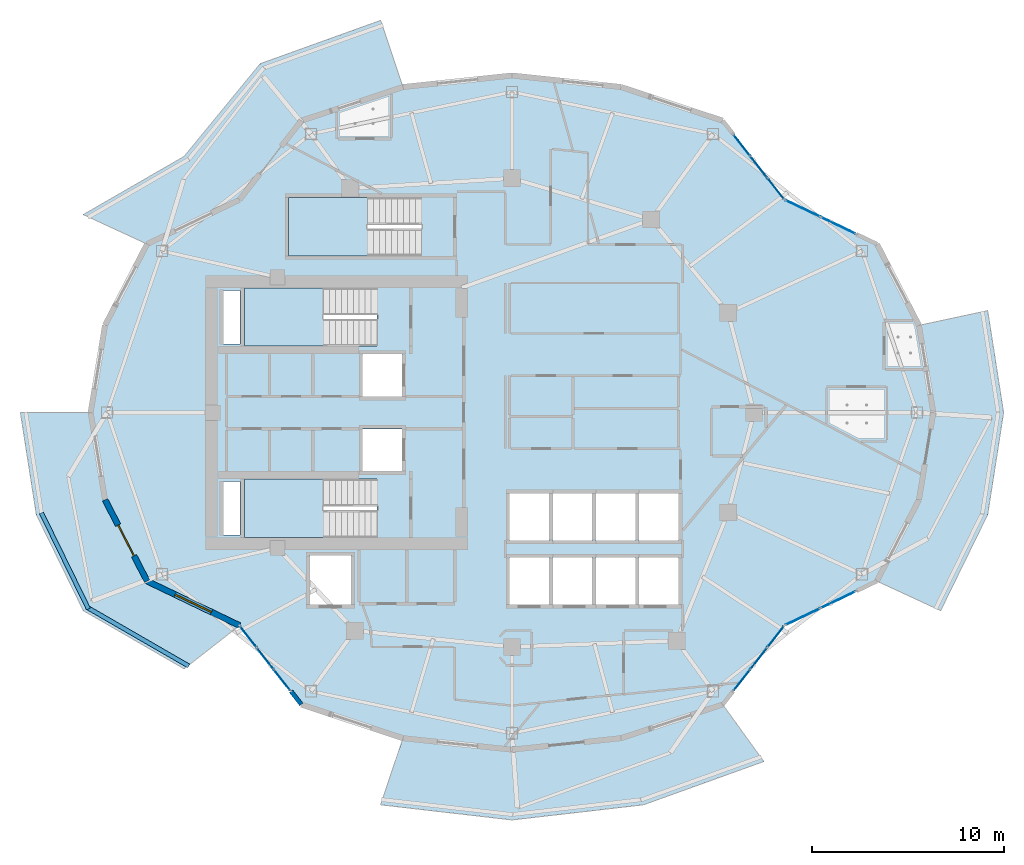
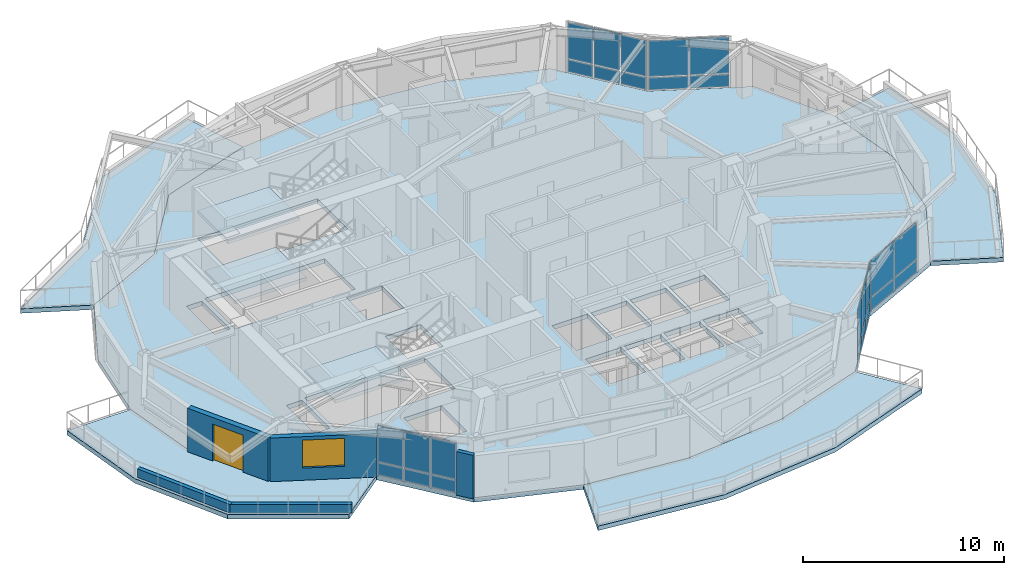
# One storey, part 7 of 19: 31 plates, 8 slabs, 5 walls, 1 door, 1 window, 2 openings, 8 elements without a shape of their own.
"""IFC4 building model written with IfcOpenShell, lengths in metres."""

from ifc_helpers import new_model, si_unit, direction, frame, frame_2d, origin, origin_2d, place, context, subcontext, project, spatial, polyline, rectangle, outline, extrude, material, layer, layer_set, type_object, element, fill, aggregate, save


model = new_model("IFC4")

# Units and contexts
model_context = context("Model", 3, precision=1e-05, world=origin(), true_north=direction((0.0, 1.0)))
body_context = subcontext(model_context, "Body", "Model", "MODEL_VIEW")
ifc_project = project(units=[si_unit("LENGTHUNIT", "METRE"), si_unit("AREAUNIT", "SQUARE_METRE"), si_unit("VOLUMEUNIT", "CUBIC_METRE"), si_unit("PLANEANGLEUNIT", "RADIAN"), si_unit("MASSUNIT", "GRAM", prefix="KILO")], contexts=[model_context])

# Site, building, storey
site_placement = place(None, origin())
site = spatial("IfcSite", under=ifc_project, at=site_placement, CompositionType="ELEMENT")
building_placement = place(site_placement, origin())
building = spatial("IfcBuilding", under=site, at=building_placement, Name="Kolvaren Gate Tower and Convention Centre", CompositionType="ELEMENT")
storey_placement = place(building_placement, frame((0.0, 0.0, 169.89990234375)))
storey = spatial("IfcBuildingStorey", under=building, at=storey_placement, Name="L44", CompositionType="ELEMENT", Elevation=169.89990234375)

# Plates
ifc_material_1 = material(Name="Perforated Anodized Bronze Aluminium Sheet 6 mm", Category="aluminium")
ifc_layer_1 = layer(ifc_material_1, 0.011962890625)
ifc_layer_set_1 = layer_set([ifc_layer_1], Name="Perforated Anodized Bronze Aluminium Sheet 6 mm")
plate_type_1 = type_object("IfcPlateType", Name="ARCH-PL-SCREEN-PERF", PredefinedType="SHEET", material=ifc_layer_set_1)
for number, where, z_axis, x_axis, name in (
    (1, (46.718505859375, 36.930419921875, 2.2900390625), (0.0, 0.0, 1.0), (0.901358389955, -0.433073957723, 0.0), "Tower L44 Perforated Bronze Solar Screen SS-02"),
    (2, (42.70361328125, 40.142333984375, 2.2900390625), (0.0, 0.0, 1.0), (0.616434119112, -0.787406487651, 0.0), "Tower L44 Perforated Bronze Solar Screen SS-03"),
    (3, (17.54638671875, 13.857666015625, 2.2900390625), (0.0, 0.0, 1.0), (0.616434119112, -0.787406487651, 0.0), "Tower L44 Perforated Bronze Solar Screen SS-15"),
    (4, (42.70361328125, 13.857666015625, 2.2900390625), (0.0, 0.0, 1.0), (0.616434119112, 0.787406487651, 0.0), "Tower L44 Perforated Bronze Solar Screen SS-20"),
    (5, (46.718505859375, 17.069580078125, 2.2900390625), (0.0, 0.0, 1.0), (0.901358389955, 0.433073957723, 0.0), "Tower L44 Perforated Bronze Solar Screen SS-21"),
):
    element("IfcPlate", number, at=place(storey_placement, frame(where, z_axis=z_axis, x_axis=x_axis)), inside=storey, type_object=plate_type_1, Name=name, PredefinedType="SHEET", context=body_context, shape_type="SweptSolid", body=[
        extrude(rectangle(XDim=2.60009765625, YDim=0.011962890625, at=origin_2d()), origin(), (0.0, 0.0, 1.0), 0.840087890625),
    ])

# Curtain wall, plates
ifc_material_2 = material(Name="Anodized Architectural Aluminium Alloy 6063-T6", Category="aluminium")
ifc_layer_2 = layer(ifc_material_2, 0.159912109375)
ifc_layer_set_2 = layer_set([ifc_layer_2], Name="Anodized Architectural Aluminium Alloy 6063-T6")
curtain_wall_type = type_object("IfcCurtainWallType", Name="CW-HTL-UNIT", PredefinedType="NOTDEFINED", material=ifc_layer_set_2)
curtain_wall_1_placement = place(storey_placement, origin())
curtain_wall_1 = element("IfcCurtainWall", 6, at=curtain_wall_1_placement, inside=storey, type_object=curtain_wall_type, Name="Tower L44 Unitised Curtain Wall CW-HTL-UNIT Bay 02", PredefinedType="NOTDEFINED")
ifc_material_3 = material(Name="Low-E Triple Insulated Glazing Unit 44 mm", Category="glass")
ifc_layer_3 = layer(ifc_material_3, 0.0439453125)
ifc_layer_set_3 = layer_set([ifc_layer_3], Name="Low-E Triple Insulated Glazing Unit 44 mm")
plate_type_2 = type_object("IfcPlateType", Name="CW-PL-IGU-44", PredefinedType="CURTAIN_PANEL", material=ifc_layer_set_3)
plate_1_placement = place(storey_placement, frame((45.264404296875, 37.629150390625, 0.882568359375), z_axis=(0.0, 0.0, 1.0), x_axis=(0.901358493371, -0.433073742482, 0.0)))
plate_1 = element("IfcPlate", 7, at=plate_1_placement, type_object=plate_type_2, Name="CW-03 panel 1.2", PredefinedType="CURTAIN_PANEL", context=body_context, shape_type="SweptSolid", body=[
    extrude(rectangle(XDim=1.97998046875, YDim=0.0439453125, at=origin_2d()), origin(), (0.0, 0.0, 1.0), 2.1826171875),
])
plate_2_placement = place(storey_placement, frame((47.107666015625, 36.743408203125, 0.882568359375), z_axis=(0.0, 0.0, 1.0), x_axis=(0.901358493371, -0.433073742482, 0.0)))
plate_2 = element("IfcPlate", 8, at=plate_2_placement, type_object=plate_type_2, Name="CW-03 panel 2.2", PredefinedType="CURTAIN_PANEL", context=body_context, shape_type="SweptSolid", body=[
    extrude(rectangle(XDim=1.97998046875, YDim=0.0439453125, at=origin_2d()), origin(), (0.0, 0.0, 1.0), 2.1826171875),
])

curtain_wall_2_placement = place(storey_placement, origin())
curtain_wall_2 = element("IfcCurtainWall", 9, at=curtain_wall_2_placement, inside=storey, type_object=curtain_wall_type, Name="Tower L44 Unitised Curtain Wall CW-HTL-UNIT Bay 03", PredefinedType="NOTDEFINED")
plate_3_placement = place(storey_placement, frame((42.09033203125, 40.925537109375, 0.882568359375), z_axis=(0.0, 0.0, 1.0), x_axis=(0.616437890084, -0.787403535469, 0.0)))
plate_3 = element("IfcPlate", 10, at=plate_3_placement, type_object=plate_type_2, Name="CW-03 panel 1.2", PredefinedType="CURTAIN_PANEL", context=body_context, shape_type="SweptSolid", body=[
    extrude(rectangle(XDim=1.3515625, YDim=0.0439453125, at=origin_2d()), origin(), (0.0, 0.0, 1.0), 2.1826171875),
])
plate_4_placement = place(storey_placement, frame((42.9736328125, 39.79736328125, 0.882568359375), z_axis=(0.0, 0.0, 1.0), x_axis=(0.616437890084, -0.787403535469, 0.0)))
plate_4 = element("IfcPlate", 11, at=plate_4_placement, type_object=plate_type_2, Name="CW-03 panel 2.2", PredefinedType="CURTAIN_PANEL", context=body_context, shape_type="SweptSolid", body=[
    extrude(rectangle(XDim=1.384033203125, YDim=0.0439453125, at=origin_2d()), origin(), (0.0, 0.0, 1.0), 2.1826171875),
])
plate_5_placement = place(storey_placement, frame((43.85693359375, 38.669189453125, 0.882568359375), z_axis=(0.0, 0.0, 1.0), x_axis=(0.616437890084, -0.787403535469, 0.0)))
plate_5 = element("IfcPlate", 12, at=plate_5_placement, type_object=plate_type_2, Name="CW-03 panel 3.2", PredefinedType="CURTAIN_PANEL", context=body_context, shape_type="SweptSolid", body=[
    extrude(rectangle(XDim=1.3515625, YDim=0.0439453125, at=origin_2d()), origin(), (0.0, 0.0, 1.0), 2.1826171875),
])

curtain_wall_3_placement = place(storey_placement, origin())
curtain_wall_3 = element("IfcCurtainWall", 13, at=curtain_wall_3_placement, inside=storey, type_object=curtain_wall_type, Name="Tower L44 Unitised Curtain Wall CW-HTL-UNIT Bay 15", PredefinedType="NOTDEFINED")
plate_6_placement = place(storey_placement, frame((16.39306640625, 15.330810546875, 0.882568359375), z_axis=(0.0, 0.0, 1.0), x_axis=(0.616423627213, -0.787414701294, 0.0)))
plate_6 = element("IfcPlate", 14, at=plate_6_placement, type_object=plate_type_2, Name="CW-03 panel 1.2", PredefinedType="CURTAIN_PANEL", context=body_context, shape_type="SweptSolid", body=[
    extrude(rectangle(XDim=1.3515625, YDim=0.0439453125, at=origin_2d()), origin(), (0.0, 0.0, 1.0), 2.1826171875),
])
plate_7_placement = place(storey_placement, frame((17.2763671875, 14.20263671875, 0.882568359375), z_axis=(0.0, 0.0, 1.0), x_axis=(0.616423627213, -0.787414701294, 0.0)))
plate_7 = element("IfcPlate", 15, at=plate_7_placement, type_object=plate_type_2, Name="CW-03 panel 2.2", PredefinedType="CURTAIN_PANEL", context=body_context, shape_type="SweptSolid", body=[
    extrude(rectangle(XDim=1.384033203125, YDim=0.0439453125, at=origin_2d()), origin(), (0.0, 0.0, 1.0), 2.1826171875),
])
plate_8_placement = place(storey_placement, frame((18.159423828125, 13.074462890625, 0.882568359375), z_axis=(0.0, 0.0, 1.0), x_axis=(0.616423627213, -0.787414701294, 0.0)))
plate_8 = element("IfcPlate", 16, at=plate_8_placement, type_object=plate_type_2, Name="CW-03 panel 3.2", PredefinedType="CURTAIN_PANEL", context=body_context, shape_type="SweptSolid", body=[
    extrude(rectangle(XDim=1.3515625, YDim=0.0439453125, at=origin_2d()), origin(), (0.0, 0.0, 1.0), 2.1826171875),
])

curtain_wall_4_placement = place(storey_placement, origin())
curtain_wall_4 = element("IfcCurtainWall", 17, at=curtain_wall_4_placement, inside=storey, type_object=curtain_wall_type, Name="Tower L44 Unitised Curtain Wall CW-HTL-UNIT Bay 20", PredefinedType="NOTDEFINED")
plate_9_placement = place(storey_placement, frame((42.09033203125, 13.074462890625, 0.882568359375), z_axis=(0.0, 0.0, 1.0), x_axis=(0.616437890084, 0.787403535469, 0.0)))
plate_9 = element("IfcPlate", 18, at=plate_9_placement, type_object=plate_type_2, Name="CW-03 panel 1.2", PredefinedType="CURTAIN_PANEL", context=body_context, shape_type="SweptSolid", body=[
    extrude(rectangle(XDim=1.3515625, YDim=0.0439453125, at=origin_2d()), origin(), (0.0, 0.0, 1.0), 2.1826171875),
])
plate_10_placement = place(storey_placement, frame((42.9736328125, 14.20263671875, 0.882568359375), z_axis=(0.0, 0.0, 1.0), x_axis=(0.616437890084, 0.787403535469, 0.0)))
plate_10 = element("IfcPlate", 19, at=plate_10_placement, type_object=plate_type_2, Name="CW-03 panel 2.2", PredefinedType="CURTAIN_PANEL", context=body_context, shape_type="SweptSolid", body=[
    extrude(rectangle(XDim=1.384033203125, YDim=0.0439453125, at=origin_2d()), origin(), (0.0, 0.0, 1.0), 2.1826171875),
])
plate_11_placement = place(storey_placement, frame((43.85693359375, 15.330810546875, 0.882568359375), z_axis=(0.0, 0.0, 1.0), x_axis=(0.616437890084, 0.787403535469, 0.0)))
plate_11 = element("IfcPlate", 20, at=plate_11_placement, type_object=plate_type_2, Name="CW-03 panel 3.2", PredefinedType="CURTAIN_PANEL", context=body_context, shape_type="SweptSolid", body=[
    extrude(rectangle(XDim=1.3515625, YDim=0.0439453125, at=origin_2d()), origin(), (0.0, 0.0, 1.0), 2.1826171875),
])

curtain_wall_5_placement = place(storey_placement, origin())
curtain_wall_5 = element("IfcCurtainWall", 21, at=curtain_wall_5_placement, inside=storey, type_object=curtain_wall_type, Name="Tower L44 Unitised Curtain Wall CW-HTL-UNIT Bay 21", PredefinedType="NOTDEFINED")
plate_12_placement = place(storey_placement, frame((45.264404296875, 16.370849609375, 0.882568359375), z_axis=(0.0, 0.0, 1.0), x_axis=(0.901358493371, 0.433073742482, 0.0)))
plate_12 = element("IfcPlate", 22, at=plate_12_placement, type_object=plate_type_2, Name="CW-03 panel 1.2", PredefinedType="CURTAIN_PANEL", context=body_context, shape_type="SweptSolid", body=[
    extrude(rectangle(XDim=1.97998046875, YDim=0.0439453125, at=origin_2d()), origin(), (0.0, 0.0, 1.0), 2.1826171875),
])
plate_13_placement = place(storey_placement, frame((47.107666015625, 17.256591796875, 0.882568359375), z_axis=(0.0, 0.0, 1.0), x_axis=(0.901358493371, 0.433073742482, 0.0)))
plate_13 = element("IfcPlate", 23, at=plate_13_placement, type_object=plate_type_2, Name="CW-03 panel 2.2", PredefinedType="CURTAIN_PANEL", context=body_context, shape_type="SweptSolid", body=[
    extrude(rectangle(XDim=1.97998046875, YDim=0.0439453125, at=origin_2d()), origin(), (0.0, 0.0, 1.0), 2.1826171875),
])

# Plate
ifc_material_4 = material(Name="Solar-Control Laminated Curtain Glazing 36 mm", Category="glass")
ifc_layer_4 = layer(ifc_material_4, 0.035888671875)
ifc_layer_set_4 = layer_set([ifc_layer_4], Name="Solar-Control Laminated Curtain Glazing 36 mm")
plate_type_3 = type_object("IfcPlateType", Name="CW-PL-SPAN-36", PredefinedType="CURTAIN_PANEL", material=ifc_layer_set_4)
plate_14_placement = place(storey_placement, frame((45.264404296875, 37.629150390625, 0.065185546875), z_axis=(0.0, 0.0, 1.0), x_axis=(0.901358493371, -0.433073742482, 0.0)))
plate_14 = element("IfcPlate", 24, at=plate_14_placement, type_object=plate_type_3, Name="CW-03 panel 1.1", PredefinedType="CURTAIN_PANEL", context=body_context, shape_type="SweptSolid", body=[
    extrude(rectangle(XDim=1.97998046875, YDim=0.035888671875, at=origin_2d()), origin(), (0.0, 0.0, 1.0), 0.75244140625),
])

plate_15_placement = place(storey_placement, frame((47.107666015625, 36.743408203125, 0.065185546875), z_axis=(0.0, 0.0, 1.0), x_axis=(0.901358493371, -0.433073742482, 0.0)))
plate_15 = element("IfcPlate", 25, at=plate_15_placement, type_object=plate_type_3, Name="CW-03 panel 2.1", PredefinedType="CURTAIN_PANEL", context=body_context, shape_type="SweptSolid", body=[
    extrude(rectangle(XDim=1.97998046875, YDim=0.035888671875, at=origin_2d()), origin(), (0.0, 0.0, 1.0), 0.75244140625),
])

aggregate(curtain_wall_1, [plate_14, plate_1, plate_15, plate_2])

plate_16_placement = place(storey_placement, frame((42.09033203125, 40.925537109375, 0.065185546875), z_axis=(0.0, 0.0, 1.0), x_axis=(0.616437890084, -0.787403535469, 0.0)))
plate_16 = element("IfcPlate", 26, at=plate_16_placement, type_object=plate_type_3, Name="CW-03 panel 1.1", PredefinedType="CURTAIN_PANEL", context=body_context, shape_type="SweptSolid", body=[
    extrude(rectangle(XDim=1.3515625, YDim=0.035888671875, at=origin_2d()), origin(), (0.0, 0.0, 1.0), 0.75244140625),
])

plate_17_placement = place(storey_placement, frame((42.9736328125, 39.79736328125, 0.065185546875), z_axis=(0.0, 0.0, 1.0), x_axis=(0.616437890084, -0.787403535469, 0.0)))
plate_17 = element("IfcPlate", 27, at=plate_17_placement, type_object=plate_type_3, Name="CW-03 panel 2.1", PredefinedType="CURTAIN_PANEL", context=body_context, shape_type="SweptSolid", body=[
    extrude(rectangle(XDim=1.384033203125, YDim=0.035888671875, at=origin_2d()), origin(), (0.0, 0.0, 1.0), 0.75244140625),
])

plate_18_placement = place(storey_placement, frame((43.85693359375, 38.669189453125, 0.065185546875), z_axis=(0.0, 0.0, 1.0), x_axis=(0.616437890084, -0.787403535469, 0.0)))
plate_18 = element("IfcPlate", 28, at=plate_18_placement, type_object=plate_type_3, Name="CW-03 panel 3.1", PredefinedType="CURTAIN_PANEL", context=body_context, shape_type="SweptSolid", body=[
    extrude(rectangle(XDim=1.3515625, YDim=0.035888671875, at=origin_2d()), origin(), (0.0, 0.0, 1.0), 0.75244140625),
])

aggregate(curtain_wall_2, [plate_16, plate_3, plate_17, plate_4, plate_18, plate_5])

plate_19_placement = place(storey_placement, frame((16.39306640625, 15.330810546875, 0.065185546875), z_axis=(0.0, 0.0, 1.0), x_axis=(0.616423627213, -0.787414701294, 0.0)))
plate_19 = element("IfcPlate", 29, at=plate_19_placement, type_object=plate_type_3, Name="CW-03 panel 1.1", PredefinedType="CURTAIN_PANEL", context=body_context, shape_type="SweptSolid", body=[
    extrude(rectangle(XDim=1.3515625, YDim=0.035888671875, at=origin_2d()), origin(), (0.0, 0.0, 1.0), 0.75244140625),
])

plate_20_placement = place(storey_placement, frame((17.2763671875, 14.20263671875, 0.065185546875), z_axis=(0.0, 0.0, 1.0), x_axis=(0.616423627213, -0.787414701294, 0.0)))
plate_20 = element("IfcPlate", 30, at=plate_20_placement, type_object=plate_type_3, Name="CW-03 panel 2.1", PredefinedType="CURTAIN_PANEL", context=body_context, shape_type="SweptSolid", body=[
    extrude(rectangle(XDim=1.384033203125, YDim=0.035888671875, at=origin_2d()), origin(), (0.0, 0.0, 1.0), 0.75244140625),
])

plate_21_placement = place(storey_placement, frame((18.159423828125, 13.074462890625, 0.065185546875), z_axis=(0.0, 0.0, 1.0), x_axis=(0.616423627213, -0.787414701294, 0.0)))
plate_21 = element("IfcPlate", 31, at=plate_21_placement, type_object=plate_type_3, Name="CW-03 panel 3.1", PredefinedType="CURTAIN_PANEL", context=body_context, shape_type="SweptSolid", body=[
    extrude(rectangle(XDim=1.3515625, YDim=0.035888671875, at=origin_2d()), origin(), (0.0, 0.0, 1.0), 0.75244140625),
])

aggregate(curtain_wall_3, [plate_19, plate_6, plate_20, plate_7, plate_21, plate_8])

plate_22_placement = place(storey_placement, frame((42.09033203125, 13.074462890625, 0.065185546875), z_axis=(0.0, 0.0, 1.0), x_axis=(0.616437890084, 0.787403535469, 0.0)))
plate_22 = element("IfcPlate", 32, at=plate_22_placement, type_object=plate_type_3, Name="CW-03 panel 1.1", PredefinedType="CURTAIN_PANEL", context=body_context, shape_type="SweptSolid", body=[
    extrude(rectangle(XDim=1.3515625, YDim=0.035888671875, at=origin_2d()), origin(), (0.0, 0.0, 1.0), 0.75244140625),
])

plate_23_placement = place(storey_placement, frame((42.9736328125, 14.20263671875, 0.065185546875), z_axis=(0.0, 0.0, 1.0), x_axis=(0.616437890084, 0.787403535469, 0.0)))
plate_23 = element("IfcPlate", 33, at=plate_23_placement, type_object=plate_type_3, Name="CW-03 panel 2.1", PredefinedType="CURTAIN_PANEL", context=body_context, shape_type="SweptSolid", body=[
    extrude(rectangle(XDim=1.384033203125, YDim=0.035888671875, at=origin_2d()), origin(), (0.0, 0.0, 1.0), 0.75244140625),
])

plate_24_placement = place(storey_placement, frame((43.85693359375, 15.330810546875, 0.065185546875), z_axis=(0.0, 0.0, 1.0), x_axis=(0.616437890084, 0.787403535469, 0.0)))
plate_24 = element("IfcPlate", 34, at=plate_24_placement, type_object=plate_type_3, Name="CW-03 panel 3.1", PredefinedType="CURTAIN_PANEL", context=body_context, shape_type="SweptSolid", body=[
    extrude(rectangle(XDim=1.3515625, YDim=0.035888671875, at=origin_2d()), origin(), (0.0, 0.0, 1.0), 0.75244140625),
])

aggregate(curtain_wall_4, [plate_22, plate_9, plate_23, plate_10, plate_24, plate_11])

plate_25_placement = place(storey_placement, frame((45.264404296875, 16.370849609375, 0.065185546875), z_axis=(0.0, 0.0, 1.0), x_axis=(0.901358493371, 0.433073742482, 0.0)))
plate_25 = element("IfcPlate", 35, at=plate_25_placement, type_object=plate_type_3, Name="CW-03 panel 1.1", PredefinedType="CURTAIN_PANEL", context=body_context, shape_type="SweptSolid", body=[
    extrude(rectangle(XDim=1.97998046875, YDim=0.035888671875, at=origin_2d()), origin(), (0.0, 0.0, 1.0), 0.75244140625),
])

plate_26_placement = place(storey_placement, frame((47.107666015625, 17.256591796875, 0.065185546875), z_axis=(0.0, 0.0, 1.0), x_axis=(0.901358493371, 0.433073742482, 0.0)))
plate_26 = element("IfcPlate", 36, at=plate_26_placement, type_object=plate_type_3, Name="CW-03 panel 2.1", PredefinedType="CURTAIN_PANEL", context=body_context, shape_type="SweptSolid", body=[
    extrude(rectangle(XDim=1.97998046875, YDim=0.035888671875, at=origin_2d()), origin(), (0.0, 0.0, 1.0), 0.75244140625),
])

aggregate(curtain_wall_5, [plate_25, plate_12, plate_26, plate_13])

# Slabs
ifc_material_5 = material(Name="Concrete C50/60", Category="concrete")
ifc_layer_5 = layer(ifc_material_5, 0.27001953125)
ifc_layer_set_5 = layer_set([ifc_layer_5], Name="Concrete C50/60")
slab_type_1 = type_object("IfcSlabType", Name="STR-SL-BALC-270", PredefinedType="FLOOR", material=ifc_layer_set_5)
slab_1_placement = place(storey_placement, frame((0.0, 0.0, -0.27001953125)))
element("IfcSlab", 37, at=slab_1_placement, inside=storey, type_object=slab_type_1, Name="Tower L44 Planted Balcony Terrace Slab 1 (North)", PredefinedType="FLOOR", context=body_context, shape_type="SweptSolid", body=[
    extrude(outline(polyline([(24.447265625, 43.951904296875), (19.15625, 42.19873046875), (15.9365234375, 38.0859375), (11.126708984375, 35.77490234375), (7.803955078125, 37.309814453125), (13.052490234375, 40.33935546875), (17.014404296875, 45.16650390625), (23.284912109375, 47.422607421875), (24.447265625, 43.951904296875)])), origin(), (0.0, 0.0, 1.0), 0.27001953125),
])
slab_2_placement = place(storey_placement, frame((0.0, 0.0, -0.27001953125)))
element("IfcSlab", 38, at=slab_2_placement, inside=storey, type_object=slab_type_1, Name="Tower L44 Planted Balcony Terrace Slab 2 (West)", PredefinedType="FLOOR", context=body_context, shape_type="SweptSolid", body=[
    extrude(outline(polyline([(8.1875, 27.0), (8.93505859375, 22.457763671875), (11.126708984375, 18.22509765625), (15.9365234375, 15.9140625), (13.052490234375, 13.66064453125), (7.803955078125, 16.690185546875), (5.356201171875, 21.690673828125), (4.527587890625, 27.0), (8.1875, 27.0)])), origin(), (0.0, 0.0, 1.0), 0.27001953125),
])
slab_3_placement = place(storey_placement, frame((0.0, 0.0, -0.27001953125)))
element("IfcSlab", 39, at=slab_3_placement, inside=storey, type_object=slab_type_1, Name="Tower L44 Planted Balcony Terrace Slab 3 (South)", PredefinedType="FLOOR", context=body_context, shape_type="SweptSolid", body=[
    extrude(outline(polyline([(24.447265625, 10.048095703125), (30.125, 9.449951171875), (35.802734375, 10.048095703125), (41.09375, 11.80126953125), (43.235595703125, 8.83349609375), (36.965087890625, 6.577392578125), (30.125, 5.7900390625), (23.284912109375, 6.577392578125), (24.447265625, 10.048095703125)])), origin(), (0.0, 0.0, 1.0), 0.27001953125),
])
slab_4_placement = place(storey_placement, frame((0.0, 0.0, -0.27001953125)))
element("IfcSlab", 40, at=slab_4_placement, inside=storey, type_object=slab_type_1, Name="Tower L44 Planted Balcony Terrace Slab 4 (East)", PredefinedType="FLOOR", context=body_context, shape_type="SweptSolid", body=[
    extrude(outline(polyline([(49.123291015625, 18.22509765625), (51.31494140625, 22.457763671875), (52.0625, 27.0), (51.31494140625, 31.542236328125), (54.893798828125, 32.309326171875), (55.722412109375, 27.0), (54.893798828125, 21.690673828125), (52.446044921875, 16.690185546875), (49.123291015625, 18.22509765625)])), origin(), (0.0, 0.0, 1.0), 0.27001953125),
])
ifc_material_6 = material(Name="Concrete C40/50", Category="concrete")
ifc_layer_6 = layer(ifc_material_6, 0.27001953125)
ifc_layer_set_6 = layer_set([ifc_layer_6], Name="Concrete C40/50")
slab_type_2 = type_object("IfcSlabType", Name="STR-SL-FLR-270", PredefinedType="FLOOR", material=ifc_layer_set_6)
slab_5_placement = place(storey_placement, frame((0.0, 0.0, -0.27001953125)))
element("IfcSlab", 41, at=slab_5_placement, inside=storey, type_object=slab_type_2, Name="Tower L44 Structural Floor Slab", PredefinedType="FLOOR", context=body_context, shape_type="SweptSolid", body=[
    extrude(outline(polyline([(52.0625, 27.0), (51.31494140625, 31.542236328125), (49.123291015625, 35.77490234375), (44.3134765625, 38.0859375), (41.09375, 42.19873046875), (35.802734375, 43.951904296875), (30.125, 44.550048828125), (24.447265625, 43.951904296875), (19.15625, 42.19873046875), (15.9365234375, 38.0859375), (11.126708984375, 35.77490234375), (8.93505859375, 31.542236328125), (8.1875, 27.0), (8.93505859375, 22.457763671875), (11.126708984375, 18.22509765625), (15.9365234375, 15.9140625), (19.15625, 11.80126953125), (24.447265625, 10.048095703125), (30.125, 9.449951171875), (35.802734375, 10.048095703125), (41.09375, 11.80126953125), (44.3134765625, 15.9140625), (49.123291015625, 18.22509765625), (51.31494140625, 22.457763671875), (52.0625, 27.0)]), holes=[polyline([(36.75, 17.0), (36.75, 19.449951171875), (38.800048828125, 19.449951171875), (38.800048828125, 17.0), (36.75, 17.0)]), polyline([(36.75, 20.35009765625), (36.75, 22.800048828125), (38.800048828125, 22.800048828125), (38.800048828125, 20.35009765625), (36.75, 20.35009765625)]), polyline([(34.5, 17.0), (34.5, 19.449951171875), (36.550048828125, 19.449951171875), (36.550048828125, 17.0), (34.5, 17.0)]), polyline([(34.5, 20.35009765625), (34.5, 22.800048828125), (36.550048828125, 22.800048828125), (36.550048828125, 20.35009765625), (34.5, 20.35009765625)]), polyline([(32.25, 17.0), (32.25, 19.449951171875), (34.300048828125, 19.449951171875), (34.300048828125, 17.0), (32.25, 17.0)]), polyline([(32.25, 20.35009765625), (32.25, 22.800048828125), (34.300048828125, 22.800048828125), (34.300048828125, 20.35009765625), (32.25, 20.35009765625)]), polyline([(30.0, 17.0), (30.0, 19.449951171875), (32.050048828125, 19.449951171875), (32.050048828125, 17.0), (30.0, 17.0)]), polyline([(30.0, 20.35009765625), (30.0, 22.800048828125), (32.050048828125, 22.800048828125), (32.050048828125, 20.35009765625), (30.0, 20.35009765625)]), polyline([(25.39990234375, 38.199951171875), (25.39990234375, 35.159912109375), (18.5, 35.159912109375), (18.5, 38.199951171875), (25.39990234375, 38.199951171875)]), polyline([(22.35009765625, 23.9599609375), (22.35009765625, 26.159912109375), (24.39990234375, 26.159912109375), (24.39990234375, 23.9599609375), (22.35009765625, 23.9599609375)]), polyline([(22.35009765625, 27.840087890625), (22.35009765625, 30.0400390625), (24.39990234375, 30.0400390625), (24.39990234375, 27.840087890625), (22.35009765625, 27.840087890625)]), polyline([(23.10009765625, 23.5400390625), (23.10009765625, 20.5), (16.199951171875, 20.5), (16.199951171875, 23.5400390625), (23.10009765625, 23.5400390625)]), polyline([(23.10009765625, 33.5), (23.10009765625, 30.4599609375), (16.199951171875, 30.4599609375), (16.199951171875, 33.5), (23.10009765625, 33.5)]), polyline([(19.60009765625, 17.0), (19.60009765625, 19.550048828125), (21.75, 19.550048828125), (21.75, 17.0), (19.60009765625, 17.0)]), polyline([(15.080078125, 20.6298828125), (15.080078125, 23.419921875), (15.969970703125, 23.419921875), (15.969970703125, 20.6298828125), (15.080078125, 20.6298828125)]), polyline([(15.080078125, 30.580078125), (15.080078125, 33.3701171875), (15.969970703125, 33.3701171875), (15.969970703125, 30.580078125), (15.080078125, 30.580078125)])]), origin(), (0.0, 0.0, 1.0), 0.27001953125),
])

# Stair, slab
stair_type = type_object("IfcStairType", Name="STR-STAIR-CORE", PredefinedType="HALF_TURN_STAIR", material=ifc_material_5)
stair_1_placement = place(storey_placement, origin())
stair_1 = element("IfcStair", 42, at=stair_1_placement, inside=storey, type_object=stair_type, Name="L44 Tower North Exit Stair ST-T1", PredefinedType="HALF_TURN_STAIR")
ifc_layer_7 = layer(ifc_material_5, 0.199951171875)
ifc_layer_set_7 = layer_set([ifc_layer_7], Name="Concrete C50/60")
slab_type_3 = type_object("IfcSlabType", Name="STR-SL-LAND-200", PredefinedType="LANDING", material=ifc_layer_set_7)
slab_6_placement = place(storey_placement, frame((0.0, 0.0, 1.5)))
slab_6 = element("IfcSlab", 43, at=slab_6_placement, type_object=slab_type_3, Name="ST-T1 landing 1", PredefinedType="LANDING", context=body_context, shape_type="SweptSolid", body=[
    extrude(outline(polyline([(20.31005859375, 33.5), (16.199951171875, 33.5), (16.199951171875, 30.4599609375), (20.31005859375, 30.4599609375), (20.31005859375, 33.5)])), origin(), (0.0, 0.0, 1.0), 0.2001953125),
])
aggregate(stair_1, [slab_6])

stair_2_placement = place(storey_placement, origin())
stair_2 = element("IfcStair", 44, at=stair_2_placement, inside=storey, type_object=stair_type, Name="L44 Tower South Exit Stair ST-T2", PredefinedType="HALF_TURN_STAIR")
slab_7_placement = place(storey_placement, frame((0.0, 0.0, 1.5)))
slab_7 = element("IfcSlab", 45, at=slab_7_placement, type_object=slab_type_3, Name="ST-T2 landing 1", PredefinedType="LANDING", context=body_context, shape_type="SweptSolid", body=[
    extrude(outline(polyline([(20.31005859375, 23.5400390625), (16.199951171875, 23.5400390625), (16.199951171875, 20.5), (20.31005859375, 20.5), (20.31005859375, 23.5400390625)])), origin(), (0.0, 0.0, 1.0), 0.2001953125),
])
aggregate(stair_2, [slab_7])

stair_3_placement = place(storey_placement, origin())
stair_3 = element("IfcStair", 46, at=stair_3_placement, inside=storey, type_object=stair_type, Name="L44 Tower Mid-Zone Exit Stair ST-T3", PredefinedType="HALF_TURN_STAIR")
slab_8_placement = place(storey_placement, frame((0.0, 0.0, 1.5)))
slab_8 = element("IfcSlab", 47, at=slab_8_placement, type_object=slab_type_3, Name="ST-T3 landing 1", PredefinedType="LANDING", context=body_context, shape_type="SweptSolid", body=[
    extrude(outline(polyline([(22.610107421875, 38.199951171875), (18.5, 38.199951171875), (18.5, 35.159912109375), (22.610107421875, 35.159912109375), (22.610107421875, 38.199951171875)])), origin(), (0.0, 0.0, 1.0), 0.2001953125),
])
aggregate(stair_3, [slab_8])

# Walls
ifc_material_7 = material(Name="Bogota Sabana Bush-Hammered Sandstone Cladding", Category="masonry")
ifc_layer_8 = layer(ifc_material_7, 0.219970703125)
ifc_layer_set_8 = layer_set([ifc_layer_8], Name="Bogota Sabana Bush-Hammered Sandstone Cladding")
wall_type_1 = type_object("IfcWallType", Name="ARCH-WL-PIER-220", PredefinedType="SOLIDWALL", material=ifc_layer_set_8)
wall_1_placement = place(storey_placement, frame((18.6162109375, 12.4912109375, 0.0), z_axis=(0.0, 0.0, 1.0), x_axis=(0.616368366719, -0.787457958566, 0.0)))
element("IfcWall", 48, at=wall_1_placement, inside=storey, type_object=wall_type_1, Name="Tower L44 Unitised Curtain Wall CW-HTL-UNIT Bay 15 Right Column Pier Wrap", PredefinedType="SOLIDWALL", context=body_context, shape_type="SweptSolid", body=[
    extrude(rectangle(XDim=0.876220703125, YDim=0.219970703125, at=frame_2d((0.43798828125, 0.0))), origin(), (0.0, 0.0, 1.0), 2.653076171875),
])
ifc_material_8 = material(Name="Piedmont Cream Honed Limestone Cladding", Category="masonry")
ifc_layer_9 = layer(ifc_material_8, 0.219970703125)
ifc_layer_set_9 = layer_set([ifc_layer_9], Name="Piedmont Cream Honed Limestone Cladding")
wall_type_2 = type_object("IfcWallType", Name="ARCH-WL-PLANTER-220", PredefinedType="PARAPET", material=ifc_layer_set_9)
wall_2_placement = place(storey_placement, frame((5.6220703125, 21.77880859375, 0.0), z_axis=(0.0, 0.0, 1.0), x_axis=(0.439637174641, -0.898175458735, 0.0)))
element("IfcWall", 49, at=wall_2_placement, inside=storey, type_object=wall_type_2, Name="Vertical-Forest Balcony Stone Planter Kerb PK-L44-2.2", PredefinedType="PARAPET", context=body_context, shape_type="SweptSolid", body=[
    extrude(rectangle(XDim=5.567138671875, YDim=0.219970703125, at=frame_2d((2.78369140625, 0.0))), origin(), (0.0, 0.0, 1.0), 0.52001953125),
])
wall_3_placement = place(storey_placement, frame((8.0439453125, 16.83447265625, 0.0), z_axis=(0.0, 0.0, 1.0), x_axis=(0.866058128659, -0.499943314571, 0.0)))
element("IfcWall", 50, at=wall_3_placement, inside=storey, type_object=wall_type_2, Name="Vertical-Forest Balcony Stone Planter Kerb PK-L44-2.3", PredefinedType="PARAPET", context=body_context, shape_type="SweptSolid", body=[
    extrude(rectangle(XDim=6.060302734375, YDim=0.219970703125, at=frame_2d((3.0302734375, 0.0))), origin(), (0.0, 0.0, 1.0), 0.52001953125),
])

# Wall, opening, door
ifc_layer_10 = layer(ifc_material_8, 0.300048828125)
ifc_layer_set_10 = layer_set([ifc_layer_10], Name="Piedmont Cream Honed Limestone Cladding")
wall_type_3 = type_object("IfcWallType", Name="ARCH-WL-STONE-300", PredefinedType="SOLIDWALL", material=ifc_layer_set_10)
wall_4_placement = place(storey_placement, frame((8.93505859375, 22.457763671875, 0.0), z_axis=(0.0, 0.0, 1.0), x_axis=(0.459810251451, -0.888017191647, 0.0)))
wall_4 = element("IfcWall", 51, at=wall_4_placement, inside=storey, type_object=wall_type_3, Name="Tower L44 Honed Stone Spandrel Wall EW-13", PredefinedType="SOLIDWALL", context=body_context, shape_type="SweptSolid", body=[
    extrude(rectangle(XDim=4.766357421875, YDim=0.300048828125, at=frame_2d((2.38330078125, 0.0))), origin(), (0.0, 0.0, 1.0), 2.653076171875),
])
opening_1_placement = place(wall_4_placement, frame((1.48291015625, 0.0, 0.0)))
opening_1 = element("IfcOpeningElement", 52, at=opening_1_placement, cuts=wall_4, Name="Opening DB-01", PredefinedType="OPENING", context=body_context, shape_type="SweptSolid", body=[
    extrude(rectangle(XDim=1.800048828125, YDim=2.25, at=frame_2d((0.89990234375, 1.125))), frame((0.0, 0.159912109375, 0.0), z_axis=(0.0, -1.0, 0.0), x_axis=(1.0, 0.0, 0.0)), (0.0, 0.0, 1.0), 0.320068359375),
])
door_type = type_object("IfcDoorType", Name="ARCH-DR-BALC-1800", OperationType="SLIDING_TO_LEFT", PredefinedType="DOOR", material=ifc_material_2)
door_placement = place(opening_1_placement, frame((1.800048828125, 0.0, 0.0), z_axis=(0.0, 0.0, 1.0), x_axis=(-1.0, 0.0, 0.0)))
door = element("IfcDoor", 53, at=door_placement, inside=storey, type_object=door_type, Name="Planted Sky Terrace Access Door DB-L44-13", OperationType="SLIDING_TO_LEFT", OverallHeight=2.25, OverallWidth=1.800048828125, PredefinedType="DOOR", context=body_context, shape_type="SweptSolid", body=[
    extrude(rectangle(XDim=1.800048828125, YDim=2.25, at=frame_2d((0.89990234375, 1.125))), frame((0.0, 0.02490234375, 0.0), z_axis=(0.0, -1.0, 0.0), x_axis=(1.0, 0.0, 0.0)), (0.0, 0.0, 1.0), 0.050048828125),
])
fill(opening_1, door)

# Wall, opening, window
wall_5_placement = place(storey_placement, frame((11.126708984375, 18.22509765625, 0.0), z_axis=(0.0, 0.0, 1.0), x_axis=(0.901353070301, -0.433085029363, 0.0)))
wall_5 = element("IfcWall", 54, at=wall_5_placement, inside=storey, type_object=wall_type_3, Name="Tower L44 Honed Stone Spandrel Wall EW-14", PredefinedType="SOLIDWALL", context=body_context, shape_type="SweptSolid", body=[
    extrude(rectangle(XDim=5.336181640625, YDim=0.300048828125, at=frame_2d((2.66796875, 0.0))), origin(), (0.0, 0.0, 1.0), 2.653076171875),
])
opening_2_placement = place(wall_5_placement, frame((1.617919921875, 0.0, 0.739990234375)))
opening_2 = element("IfcOpeningElement", 55, at=opening_2_placement, cuts=wall_5, Name="Opening W-02", PredefinedType="OPENING", context=body_context, shape_type="SweptSolid", body=[
    extrude(rectangle(XDim=2.10009765625, YDim=1.699951171875, at=frame_2d((1.050048828125, 0.85009765625))), frame((0.0, 0.159912109375, 0.0), z_axis=(0.0, -1.0, 0.0), x_axis=(1.0, 0.0, 0.0)), (0.0, 0.0, 1.0), 0.320068359375),
])
window_type = type_object("IfcWindowType", Name="ARCH-WN-HTL-2100", PartitioningType="SINGLE_PANEL", PredefinedType="WINDOW", material=ifc_material_3)
window_placement = place(opening_2_placement, origin())
window = element("IfcWindow", 56, at=window_placement, inside=storey, type_object=window_type, Name="Tower L44 Punched Stone Facade Window W-14", OverallHeight=1.699951171875, OverallWidth=2.10009765625, PartitioningType="SINGLE_PANEL", PredefinedType="WINDOW", context=body_context, shape_type="SweptSolid", body=[
    extrude(rectangle(XDim=2.10009765625, YDim=1.699951171875, at=frame_2d((1.050048828125, 0.85009765625))), frame((0.0, 0.030029296875, 0.0), z_axis=(0.0, -1.0, 0.0), x_axis=(1.0, 0.0, 0.0)), (0.0, 0.0, 1.0), 0.06005859375),
])
fill(opening_2, window)

save(model, "model.ifc")
